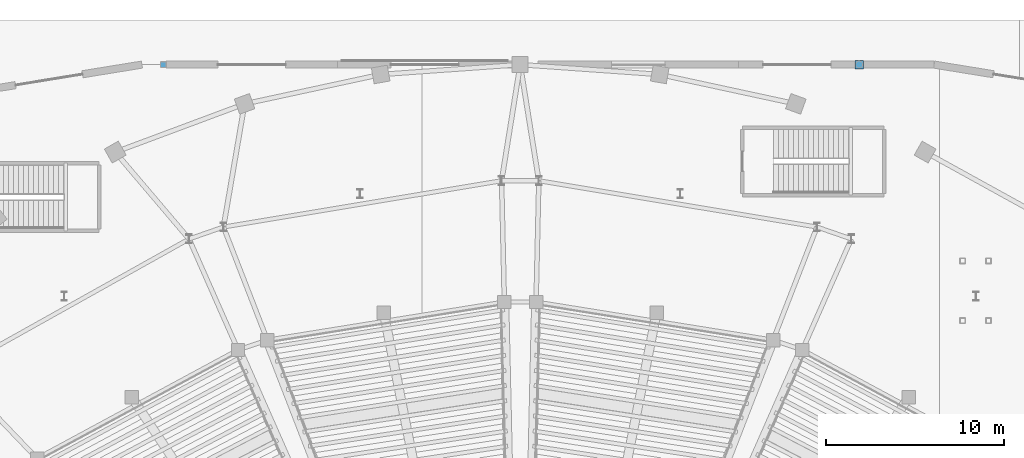
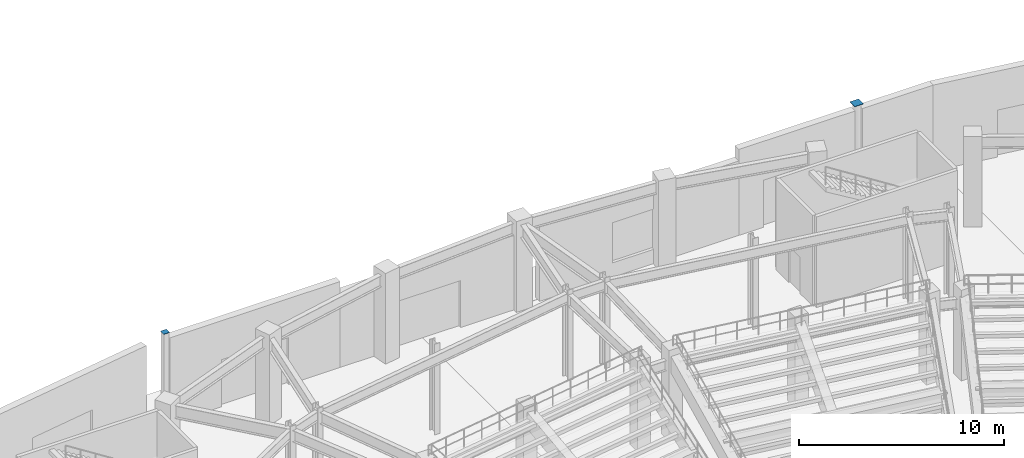
# One storey, part 66 of 79: 2 discrete accessories.
"""IFC4 building model written with IfcOpenShell, lengths in metres."""

from ifc_helpers import new_model, si_unit, direction, frame, origin, origin_2d, place, context, subcontext, project, spatial, rectangle, extrude, material, type_object, element, save


model = new_model("IFC4")

# Units and contexts
model_context = context("Model", 3, precision=1e-05, world=origin(), true_north=direction((0.0, 1.0)))
body_context = subcontext(model_context, "Body", "Model", "MODEL_VIEW")
ifc_project = project(units=[si_unit("LENGTHUNIT", "METRE"), si_unit("AREAUNIT", "SQUARE_METRE"), si_unit("VOLUMEUNIT", "CUBIC_METRE"), si_unit("PLANEANGLEUNIT", "RADIAN"), si_unit("MASSUNIT", "GRAM", prefix="KILO")], contexts=[model_context])

# Site, building, storey
site_placement = place(None, origin())
site = spatial("IfcSite", under=ifc_project, at=site_placement, CompositionType="ELEMENT")
building_placement = place(site_placement, origin())
building = spatial("IfcBuilding", under=site, at=building_placement, Name="Glasvene Arena", CompositionType="ELEMENT")
storey_placement = place(building_placement, origin())
storey = spatial("IfcBuildingStorey", under=building, at=storey_placement, Name="L00", CompositionType="ELEMENT", Elevation=0.0)

# Discrete accessories
ifc_material = material(Name="Steel S355J2", Category="steel")
discrete_accessory_type_1 = type_object("IfcDiscreteAccessoryType", Name="ACC-CAP-CHS420", PredefinedType="USERDEFINED", material=ifc_material)
discrete_accessory_1_placement = place(storey_placement, frame((111.0, 118.0, 5.39794921875), z_axis=(0.0, 0.0, 1.0), x_axis=(1.0, 0.0, 0.0)))
element("IfcDiscreteAccessory", 1, at=discrete_accessory_1_placement, inside=storey, type_object=discrete_accessory_type_1, Name="Hollow column top cap plate 13-14 L00", ObjectType="CAP PLATE", PredefinedType="USERDEFINED", context=body_context, shape_type="SweptSolid", body=[
    extrude(rectangle(XDim=0.47998046875, YDim=0.47998046875, at=origin_2d()), origin(), (0.0, 0.0, 1.0), 0.02001953125),
])
discrete_accessory_type_2 = type_object("IfcDiscreteAccessoryType", Name="ACC-CAP-SHS320", PredefinedType="USERDEFINED", material=ifc_material)
discrete_accessory_2_placement = place(storey_placement, frame((72.0, 118.0, 5.39794921875), z_axis=(0.0, 0.0, 1.0), x_axis=(1.0, 0.0, 0.0)))
element("IfcDiscreteAccessory", 2, at=discrete_accessory_2_placement, inside=storey, type_object=discrete_accessory_type_2, Name="Hollow column top cap plate 9-14 L00", ObjectType="CAP PLATE", PredefinedType="USERDEFINED", context=body_context, shape_type="SweptSolid", body=[
    extrude(rectangle(XDim=0.320068359375, YDim=0.320068359375, at=origin_2d()), origin(), (0.0, 0.0, 1.0), 0.02001953125),
])

save(model, "model.ifc")
